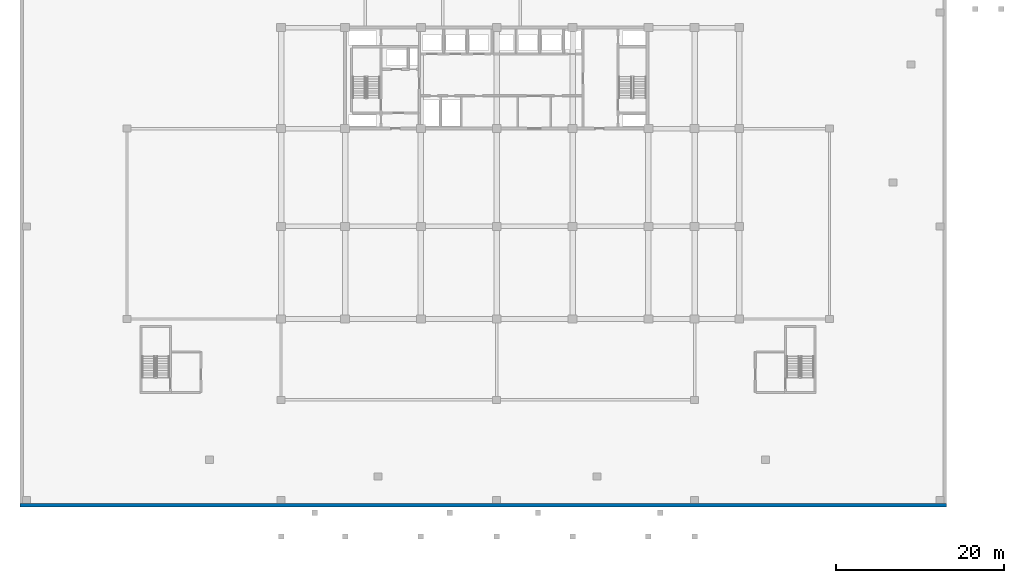
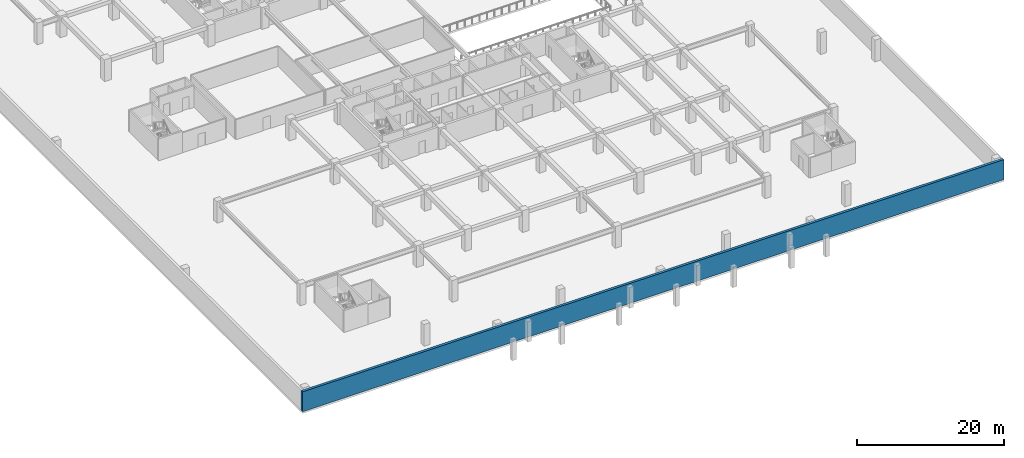
# One storey, part 5 of 23: 1 wall.
"""IFC4 building model written with IfcOpenShell, lengths in metres."""

from ifc_helpers import new_model, si_unit, direction, frame, frame_2d, origin, place, context, subcontext, project, spatial, rectangle, extrude, material, layer, layer_set, type_object, element, save


model = new_model("IFC4")

# Units and contexts
model_context = context("Model", 3, precision=1e-05, world=origin(), true_north=direction((0.0, 1.0)))
body_context = subcontext(model_context, "Body", "Model", "MODEL_VIEW")
ifc_project = project(units=[si_unit("LENGTHUNIT", "METRE"), si_unit("AREAUNIT", "SQUARE_METRE"), si_unit("VOLUMEUNIT", "CUBIC_METRE"), si_unit("PLANEANGLEUNIT", "RADIAN"), si_unit("MASSUNIT", "GRAM", prefix="KILO")], contexts=[model_context])

# Site, building, storey
site_placement = place(None, origin())
site = spatial("IfcSite", under=ifc_project, at=site_placement, CompositionType="ELEMENT")
building_placement = place(site_placement, origin())
building = spatial("IfcBuilding", under=site, at=building_placement, Name="Korimba Cascade Residences", CompositionType="ELEMENT")
storey_placement = place(building_placement, frame((0.0, 0.0, -3.60009765625)))
storey = spatial("IfcBuildingStorey", under=building, at=storey_placement, Name="B01", CompositionType="ELEMENT", Elevation=-3.60009765625)

# Wall
ifc_material = material(Name="Concrete C50/60", Category="concrete")
ifc_layer = layer(ifc_material, 0.39990234375)
ifc_layer_set = layer_set([ifc_layer], Name="Concrete C50/60")
wall_type = type_object("IfcWallType", Name="EW-RET-400", PredefinedType="USERDEFINED", material=ifc_layer_set)
wall_placement = place(storey_placement, frame((43.5, -26.300048828125, 0.0), z_axis=(0.0, 0.0, 1.0), x_axis=(1.0, 0.0, 0.0)))
element("IfcWall", 1, at=wall_placement, inside=storey, type_object=wall_type, Name="B01 Basement Retaining Wall S", ObjectType="RETAININGWALL", PredefinedType="USERDEFINED", context=body_context, shape_type="SweptSolid", body=[
    extrude(rectangle(XDim=110.0, YDim=0.39990234375, at=frame_2d((55.0, 0.0))), origin(), (0.0, 0.0, 1.0), 3.300048828125),
])

save(model, "model.ifc")
